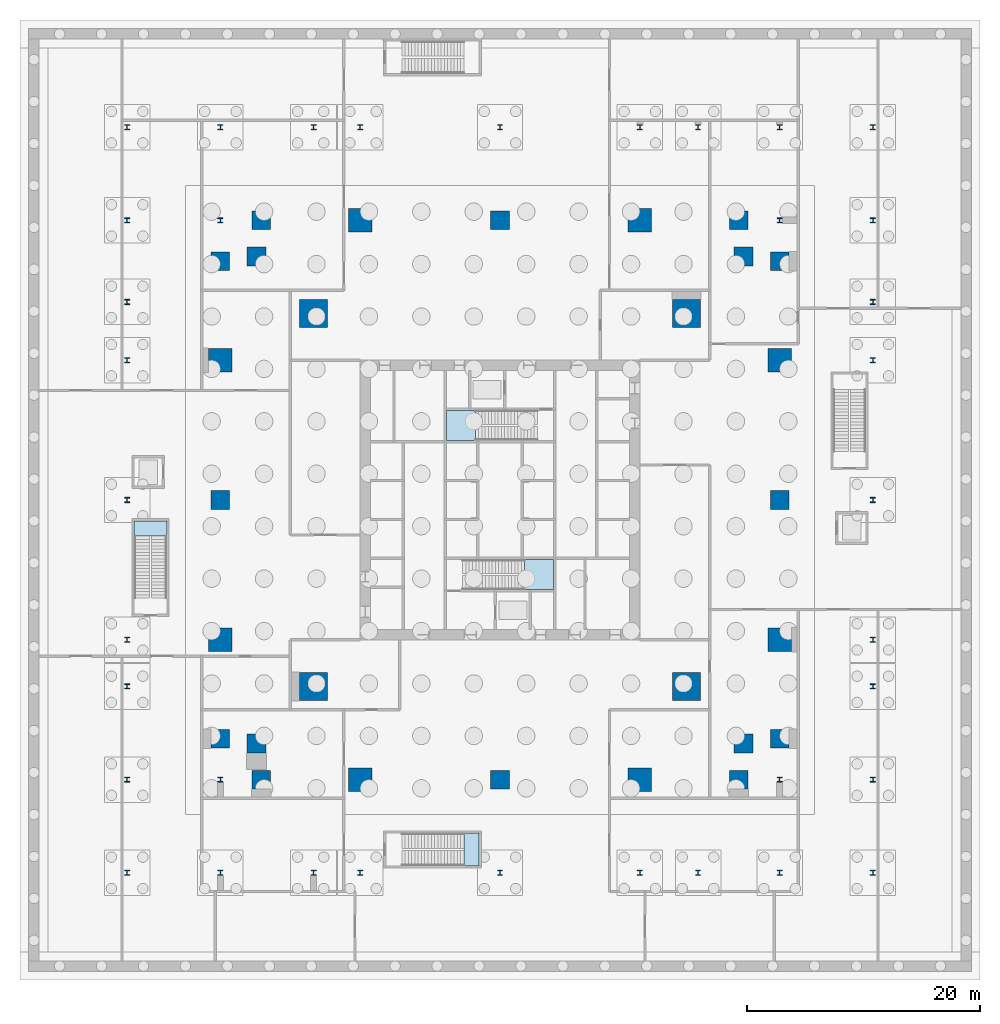
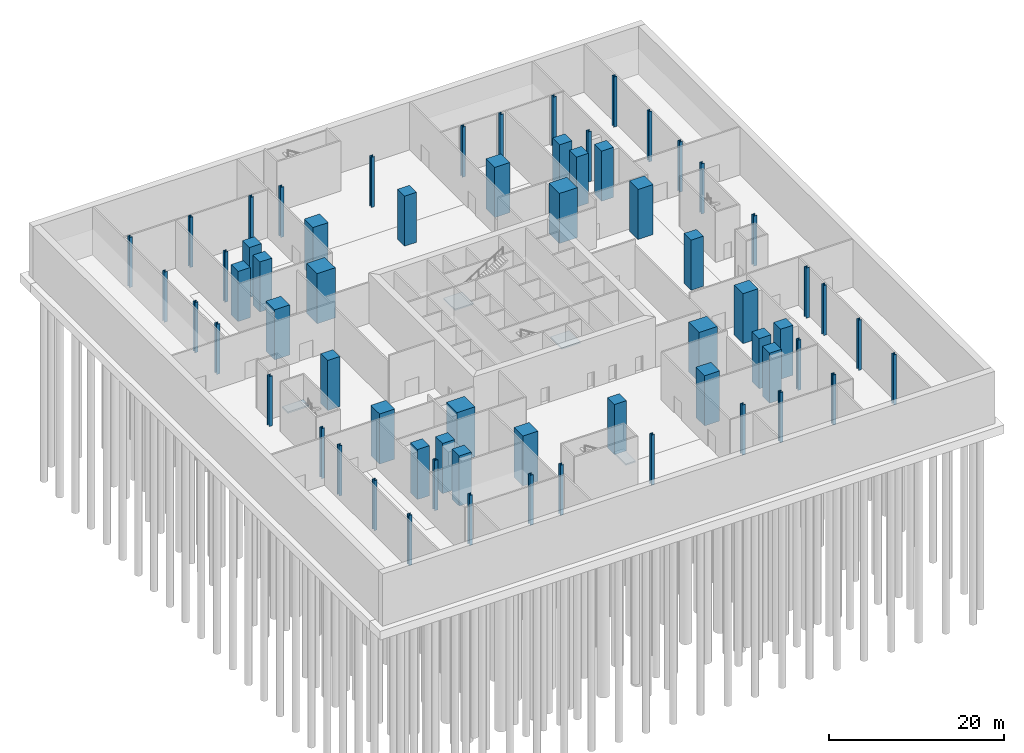
# One storey, part 3 of 15: 64 columns, 4 slabs, 4 elements without a shape of their own.
"""IFC4 building model written with IfcOpenShell, lengths in metres."""

from ifc_helpers import new_model, si_unit, direction, frame, origin, origin_2d, place, context, subcontext, project, spatial, polyline, rectangle, i_section, outline, extrude, material, layer, layer_set, material_profile, profile_set, type_object, element, aggregate, save


model = new_model("IFC4")

# Units and contexts
model_context = context("Model", 3, precision=1e-05, world=origin(), true_north=direction((0.0, 1.0)))
body_context = subcontext(model_context, "Body", "Model", "MODEL_VIEW")
ifc_project = project(units=[si_unit("LENGTHUNIT", "METRE"), si_unit("AREAUNIT", "SQUARE_METRE"), si_unit("VOLUMEUNIT", "CUBIC_METRE"), si_unit("PLANEANGLEUNIT", "RADIAN"), si_unit("MASSUNIT", "GRAM", prefix="KILO")], contexts=[model_context])

# Site, building, storey
site_placement = place(None, origin())
site = spatial("IfcSite", under=ifc_project, at=site_placement, CompositionType="ELEMENT")
building_placement = place(site_placement, origin())
building = spatial("IfcBuilding", under=site, at=building_placement, Name="Fenwick Lantern Interchange", CompositionType="ELEMENT")
storey_placement = place(building_placement, frame((0.0, 0.0, -7.0)))
storey = spatial("IfcBuildingStorey", under=building, at=storey_placement, Name="B-1", CompositionType="ELEMENT", Elevation=-7.0)

# Columns
ifc_material_1 = material(Name="Concrete f'c 70 MPa", Category="concrete")
ifc_material_profile_1 = material_profile(ifc_material_1, rectangle(XDim=2.39990234375, YDim=2.39990234375, at=origin_2d()), Name="RC2400X2400")
ifc_profile_set_1 = profile_set([ifc_material_profile_1], Name="Concrete f'c 70 MPa")
column_type_1 = type_object("IfcColumnType", Name="MEGA COLUMN RC2400X2400", PredefinedType="COLUMN", material=ifc_profile_set_1)
for number, where, z_axis, x_axis, name in (
    (1, (9.0, 9.0, 0.0), (0.0, 0.0, 1.0), (1.0, 0.0, 0.0), "B-1/M1"),
    (2, (41.0, 9.0, 0.0), (0.0, 0.0, 1.0), (1.0, 0.0, 0.0), "B-1/M2"),
    (3, (41.0, 41.0, 0.0), (0.0, 0.0, 1.0), (1.0, 0.0, 0.0), "B-1/M3"),
    (4, (9.0, 41.0, 0.0), (0.0, 0.0, 1.0), (1.0, 0.0, 0.0), "B-1/M4"),
):
    element("IfcColumn", number, at=place(storey_placement, frame(where, z_axis=z_axis, x_axis=x_axis)), inside=storey, type_object=column_type_1, Name=name, PredefinedType="COLUMN", context=body_context, shape_type="SweptSolid", body=[
        extrude(rectangle(XDim=2.39990234375, YDim=2.39990234375, at=origin_2d()), origin(), (0.0, 0.0, 1.0), 7.0),
    ])
ifc_material_profile_2 = material_profile(ifc_material_1, rectangle(XDim=1.60009765625, YDim=1.60009765625, at=origin_2d()), Name="RC1600X1600")
ifc_profile_set_2 = profile_set([ifc_material_profile_2], Name="Concrete f'c 70 MPa")
column_type_2 = type_object("IfcColumnType", Name="PERIMETER COLUMN RC1600X1600", PredefinedType="COLUMN", material=ifc_profile_set_2)
for number, where, z_axis, x_axis, name in (
    (5, (4.5, 1.0, 0.0), (0.0, 0.0, 1.0), (1.0, 0.0, 0.0), "B-1/CS1"),
    (6, (25.0, 1.0, 0.0), (0.0, 0.0, 1.0), (1.0, 0.0, 0.0), "B-1/CS3"),
    (7, (45.5, 1.0, 0.0), (0.0, 0.0, 1.0), (1.0, 0.0, 0.0), "B-1/CS5"),
    (8, (45.89990234375, 4.10009765625, 0.0), (0.0, 0.0, 1.0), (1.0, 0.0, 0.0), "B-1/CSR"),
    (9, (49.0, 4.5, 0.0), (0.0, 0.0, 1.0), (1.0, 0.0, 0.0), "B-1/CE1"),
    (10, (49.0, 25.0, 0.0), (0.0, 0.0, 1.0), (1.0, 0.0, 0.0), "B-1/CE3"),
    (11, (49.0, 45.5, 0.0), (0.0, 0.0, 1.0), (1.0, 0.0, 0.0), "B-1/CE5"),
    (12, (45.89990234375, 45.89990234375, 0.0), (0.0, 0.0, 1.0), (1.0, 0.0, 0.0), "B-1/CER"),
    (13, (45.5, 49.0, 0.0), (0.0, 0.0, 1.0), (1.0, 0.0, 0.0), "B-1/CN1"),
    (14, (25.0, 49.0, 0.0), (0.0, 0.0, 1.0), (1.0, 0.0, 0.0), "B-1/CN3"),
    (15, (4.5, 49.0, 0.0), (0.0, 0.0, 1.0), (1.0, 0.0, 0.0), "B-1/CN5"),
    (16, (4.10009765625, 45.89990234375, 0.0), (0.0, 0.0, 1.0), (1.0, 0.0, 0.0), "B-1/CNR"),
    (17, (1.0, 45.5, 0.0), (0.0, 0.0, 1.0), (1.0, 0.0, 0.0), "B-1/CW1"),
    (18, (1.0, 25.0, 0.0), (0.0, 0.0, 1.0), (1.0, 0.0, 0.0), "B-1/CW3"),
    (19, (1.0, 4.5, 0.0), (0.0, 0.0, 1.0), (1.0, 0.0, 0.0), "B-1/CW5"),
    (20, (4.10009765625, 4.10009765625, 0.0), (0.0, 0.0, 1.0), (1.0, 0.0, 0.0), "B-1/CWR"),
):
    element("IfcColumn", number, at=place(storey_placement, frame(where, z_axis=z_axis, x_axis=x_axis)), inside=storey, type_object=column_type_2, Name=name, PredefinedType="COLUMN", context=body_context, shape_type="SweptSolid", body=[
        extrude(rectangle(XDim=1.60009765625, YDim=1.60009765625, at=origin_2d()), origin(), (0.0, 0.0, 1.0), 7.0),
    ])
ifc_material_profile_3 = material_profile(ifc_material_1, rectangle(XDim=2.0, YDim=2.0, at=origin_2d()), Name="RC2000X2000")
ifc_profile_set_3 = profile_set([ifc_material_profile_3], Name="Concrete f'c 70 MPa")
column_type_3 = type_object("IfcColumnType", Name="PERIMETER COLUMN RC2000X2000", PredefinedType="COLUMN", material=ifc_profile_set_3)
for number, where, z_axis, x_axis, name in (
    (21, (13.0, 1.0, 0.0), (0.0, 0.0, 1.0), (1.0, 0.0, 0.0), "B-1/CS2"),
    (22, (37.0, 1.0, 0.0), (0.0, 0.0, 1.0), (1.0, 0.0, 0.0), "B-1/CS4"),
    (23, (49.0, 13.0, 0.0), (0.0, 0.0, 1.0), (1.0, 0.0, 0.0), "B-1/CE2"),
    (24, (49.0, 37.0, 0.0), (0.0, 0.0, 1.0), (1.0, 0.0, 0.0), "B-1/CE4"),
    (25, (37.0, 49.0, 0.0), (0.0, 0.0, 1.0), (1.0, 0.0, 0.0), "B-1/CN2"),
    (26, (13.0, 49.0, 0.0), (0.0, 0.0, 1.0), (1.0, 0.0, 0.0), "B-1/CN4"),
    (27, (1.0, 37.0, 0.0), (0.0, 0.0, 1.0), (1.0, 0.0, 0.0), "B-1/CW2"),
    (28, (1.0, 13.0, 0.0), (0.0, 0.0, 1.0), (1.0, 0.0, 0.0), "B-1/CW4"),
):
    element("IfcColumn", number, at=place(storey_placement, frame(where, z_axis=z_axis, x_axis=x_axis)), inside=storey, type_object=column_type_3, Name=name, PredefinedType="COLUMN", context=body_context, shape_type="SweptSolid", body=[
        extrude(rectangle(XDim=2.0, YDim=2.0, at=origin_2d()), origin(), (0.0, 0.0, 1.0), 7.0),
    ])
ifc_material_2 = material(Name="Steel ASTM A992 Grade 50", Category="steel")
ifc_material_profile_4 = material_profile(ifc_material_2, i_section(OverallWidth=0.41650390625, OverallDepth=0.444580078125, WebThickness=0.0390625, FlangeThickness=0.062744140625, at=origin_2d()), Name="W14X342")
ifc_profile_set_4 = profile_set([ifc_material_profile_4], Name="Steel ASTM A992 Grade 50")
column_type_4 = type_object("IfcColumnType", Name="PODIUM COLUMN W14X342", PredefinedType="COLUMN", material=ifc_profile_set_4)
for number, where, z_axis, x_axis, name in (
    (29, (-7.0, -7.0, 0.0), (0.0, 0.0, 1.0), (1.0, 0.0, 0.0), "B-1/PB2"),
    (30, (-7.0, 1.0, 0.0), (0.0, 0.0, 1.0), (1.0, 0.0, 0.0), "B-1/PC2"),
    (31, (-7.0, 9.0, 0.0), (0.0, 0.0, 1.0), (1.0, 0.0, 0.0), "B-1/PD2"),
    (32, (-7.0, 13.0, 0.0), (0.0, 0.0, 1.0), (1.0, 0.0, 0.0), "B-1/PE2"),
    (33, (-7.0, 25.0, 0.0), (0.0, 0.0, 1.0), (1.0, 0.0, 0.0), "B-1/PF2"),
    (34, (-7.0, 37.0, 0.0), (0.0, 0.0, 1.0), (1.0, 0.0, 0.0), "B-1/PG2"),
    (35, (-7.0, 42.0, 0.0), (0.0, 0.0, 1.0), (1.0, 0.0, 0.0), "B-1/PH2"),
    (36, (-7.0, 49.0, 0.0), (0.0, 0.0, 1.0), (1.0, 0.0, 0.0), "B-1/PJ2"),
    (37, (-7.0, 57.0, 0.0), (0.0, 0.0, 1.0), (1.0, 0.0, 0.0), "B-1/PK2"),
    (38, (1.0, -7.0, 0.0), (0.0, 0.0, 1.0), (1.0, 0.0, 0.0), "B-1/PB3"),
    (39, (1.0, 1.0, 0.0), (0.0, 0.0, 1.0), (1.0, 0.0, 0.0), "B-1/PC3"),
    (40, (1.0, 49.0, 0.0), (0.0, 0.0, 1.0), (1.0, 0.0, 0.0), "B-1/PJ3"),
    (41, (1.0, 57.0, 0.0), (0.0, 0.0, 1.0), (1.0, 0.0, 0.0), "B-1/PK3"),
    (42, (9.0, -7.0, 0.0), (0.0, 0.0, 1.0), (1.0, 0.0, 0.0), "B-1/PB4"),
    (43, (9.0, 57.0, 0.0), (0.0, 0.0, 1.0), (1.0, 0.0, 0.0), "B-1/PK4"),
    (44, (13.0, -7.0, 0.0), (0.0, 0.0, 1.0), (1.0, 0.0, 0.0), "B-1/PB5"),
    (45, (13.0, 57.0, 0.0), (0.0, 0.0, 1.0), (1.0, 0.0, 0.0), "B-1/PK5"),
    (46, (25.0, -7.0, 0.0), (0.0, 0.0, 1.0), (1.0, 0.0, 0.0), "B-1/PB6"),
    (47, (25.0, 57.0, 0.0), (0.0, 0.0, 1.0), (1.0, 0.0, 0.0), "B-1/PK6"),
    (48, (37.0, -7.0, 0.0), (0.0, 0.0, 1.0), (1.0, 0.0, 0.0), "B-1/PB7"),
    (49, (37.0, 57.0, 0.0), (0.0, 0.0, 1.0), (1.0, 0.0, 0.0), "B-1/PK7"),
    (50, (42.0, -7.0, 0.0), (0.0, 0.0, 1.0), (1.0, 0.0, 0.0), "B-1/PB8"),
    (51, (42.0, 57.0, 0.0), (0.0, 0.0, 1.0), (1.0, 0.0, 0.0), "B-1/PK8"),
    (52, (49.0, -7.0, 0.0), (0.0, 0.0, 1.0), (1.0, 0.0, 0.0), "B-1/PB9"),
    (53, (49.0, 1.0, 0.0), (0.0, 0.0, 1.0), (1.0, 0.0, 0.0), "B-1/PC9"),
    (54, (49.0, 49.0, 0.0), (0.0, 0.0, 1.0), (1.0, 0.0, 0.0), "B-1/PJ9"),
    (55, (49.0, 57.0, 0.0), (0.0, 0.0, 1.0), (1.0, 0.0, 0.0), "B-1/PK9"),
    (56, (57.0, -7.0, 0.0), (0.0, 0.0, 1.0), (1.0, 0.0, 0.0), "B-1/PB10"),
    (57, (57.0, 1.0, 0.0), (0.0, 0.0, 1.0), (1.0, 0.0, 0.0), "B-1/PC10"),
    (58, (57.0, 9.0, 0.0), (0.0, 0.0, 1.0), (1.0, 0.0, 0.0), "B-1/PD10"),
    (59, (57.0, 13.0, 0.0), (0.0, 0.0, 1.0), (1.0, 0.0, 0.0), "B-1/PE10"),
    (60, (57.0, 25.0, 0.0), (0.0, 0.0, 1.0), (1.0, 0.0, 0.0), "B-1/PF10"),
    (61, (57.0, 37.0, 0.0), (0.0, 0.0, 1.0), (1.0, 0.0, 0.0), "B-1/PG10"),
    (62, (57.0, 42.0, 0.0), (0.0, 0.0, 1.0), (1.0, 0.0, 0.0), "B-1/PH10"),
    (63, (57.0, 49.0, 0.0), (0.0, 0.0, 1.0), (1.0, 0.0, 0.0), "B-1/PJ10"),
    (64, (57.0, 57.0, 0.0), (0.0, 0.0, 1.0), (1.0, 0.0, 0.0), "B-1/PK10"),
):
    element("IfcColumn", number, at=place(storey_placement, frame(where, z_axis=z_axis, x_axis=x_axis)), inside=storey, type_object=column_type_4, Name=name, PredefinedType="COLUMN", context=body_context, shape_type="SweptSolid", body=[
        extrude(i_section(OverallWidth=0.41650390625, OverallDepth=0.444580078125, WebThickness=0.0390625, FlangeThickness=0.062744140625, at=origin_2d()), origin(), (0.0, 0.0, 1.0), 7.0),
    ])

# Stair, slab
ifc_material_3 = material(Name="Precast concrete f'c 35 MPa", Category="concrete")
stair_type_1 = type_object("IfcStairType", Name="EXIT STAIR 1200", PredefinedType="HALF_TURN_STAIR", material=ifc_material_3)
stair_1_placement = place(storey_placement, origin())
stair_1 = element("IfcStair", 65, at=stair_1_placement, inside=storey, type_object=stair_type_1, Name="Exit stair ST1", PredefinedType="HALF_TURN_STAIR")
ifc_material_4 = material(Name="Concrete f'c 35 MPa", Category="concrete")
ifc_layer = layer(ifc_material_4, 0.199951171875)
ifc_layer_set = layer_set([ifc_layer], Name="STAIR LANDING 200")
slab_type = type_object("IfcSlabType", Name="STAIR LANDING 200", PredefinedType="LANDING", material=ifc_layer_set)
slab_1_placement = place(storey_placement, frame((0.0, 0.0, 3.300048828125)))
slab_1 = element("IfcSlab", 66, at=slab_1_placement, type_object=slab_type, Name="ST1 landing 1", PredefinedType="LANDING", context=body_context, shape_type="SweptSolid", body=[
    extrude(outline(polyline([(27.1201171875, 17.300048828125), (29.60009765625, 17.300048828125), (29.60009765625, 19.89990234375), (27.1201171875, 19.89990234375), (27.1201171875, 17.300048828125)])), origin(), (0.0, 0.0, 1.0), 0.199951171875),
])
aggregate(stair_1, [slab_1])

stair_2_placement = place(storey_placement, origin())
stair_2 = element("IfcStair", 67, at=stair_2_placement, inside=storey, type_object=stair_type_1, Name="Exit stair ST2", PredefinedType="HALF_TURN_STAIR")
slab_2_placement = place(storey_placement, frame((0.0, 0.0, 3.300048828125)))
slab_2 = element("IfcSlab", 68, at=slab_2_placement, type_object=slab_type, Name="ST2 landing 1", PredefinedType="LANDING", context=body_context, shape_type="SweptSolid", body=[
    extrude(outline(polyline([(22.8798828125, 32.699951171875), (20.39990234375, 32.699951171875), (20.39990234375, 30.10009765625), (22.8798828125, 30.10009765625), (22.8798828125, 32.699951171875)])), origin(), (0.0, 0.0, 1.0), 0.199951171875),
])
aggregate(stair_2, [slab_2])

stair_type_2 = type_object("IfcStairType", Name="EXIT STAIR 1300", PredefinedType="HALF_TURN_STAIR", material=ifc_material_3)
stair_3_placement = place(storey_placement, origin())
stair_3 = element("IfcStair", 69, at=stair_3_placement, inside=storey, type_object=stair_type_2, Name="Exit stair PS2", PredefinedType="HALF_TURN_STAIR")
slab_3_placement = place(storey_placement, frame((0.0, 0.0, 3.300048828125)))
slab_3 = element("IfcSlab", 70, at=slab_3_placement, type_object=slab_type, Name="PS2 landing 1", PredefinedType="LANDING", context=body_context, shape_type="SweptSolid", body=[
    extrude(outline(polyline([(21.89990234375, -6.39990234375), (23.199951171875, -6.39990234375), (23.199951171875, -3.60009765625), (21.89990234375, -3.60009765625), (21.89990234375, -6.39990234375)])), origin(), (0.0, 0.0, 1.0), 0.199951171875),
])
aggregate(stair_3, [slab_3])

stair_4_placement = place(storey_placement, origin())
stair_4 = element("IfcStair", 71, at=stair_4_placement, inside=storey, type_object=stair_type_2, Name="Exit stair PS3", PredefinedType="HALF_TURN_STAIR")
slab_4_placement = place(storey_placement, frame((0.0, 0.0, 3.300048828125)))
slab_4 = element("IfcSlab", 72, at=slab_4_placement, type_object=slab_type, Name="PS3 landing 1", PredefinedType="LANDING", context=body_context, shape_type="SweptSolid", body=[
    extrude(outline(polyline([(-6.39990234375, 21.89990234375), (-3.60009765625, 21.89990234375), (-3.60009765625, 23.199951171875), (-6.39990234375, 23.199951171875), (-6.39990234375, 21.89990234375)])), origin(), (0.0, 0.0, 1.0), 0.199951171875),
])
aggregate(stair_4, [slab_4])

save(model, "model.ifc")
